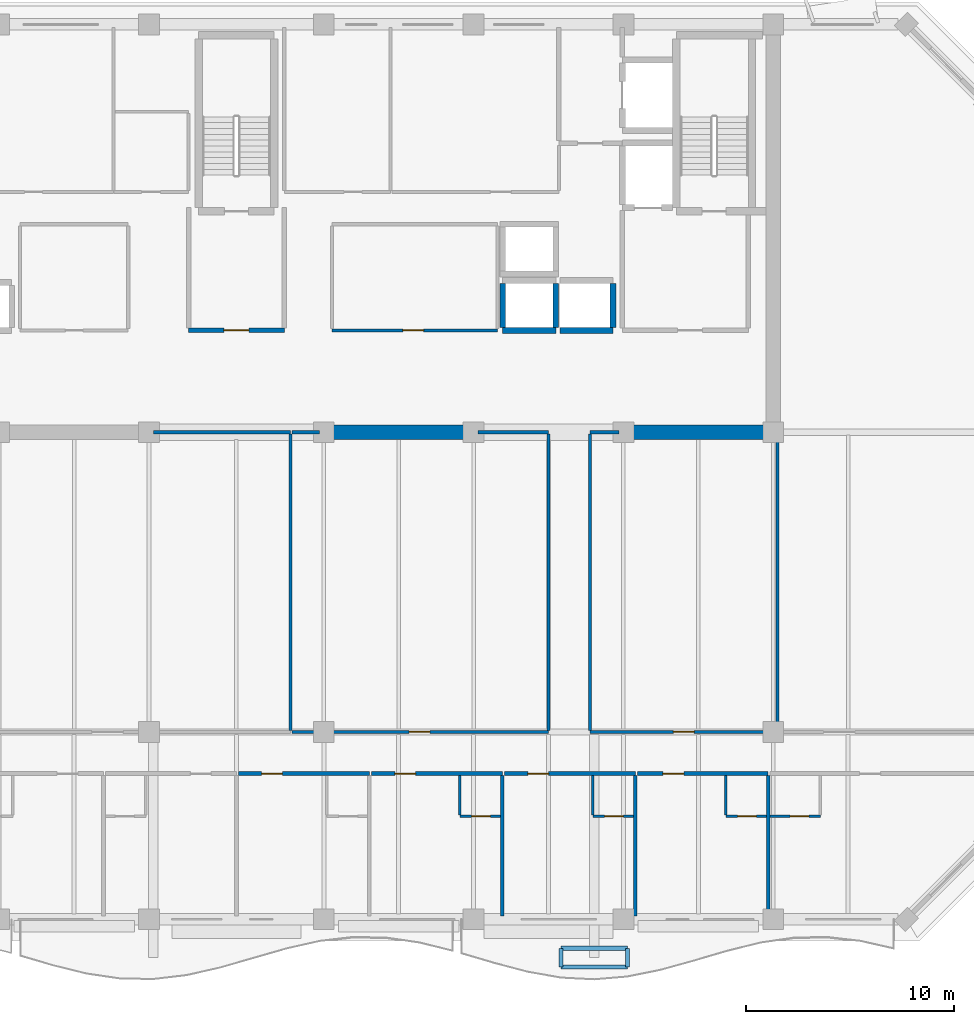
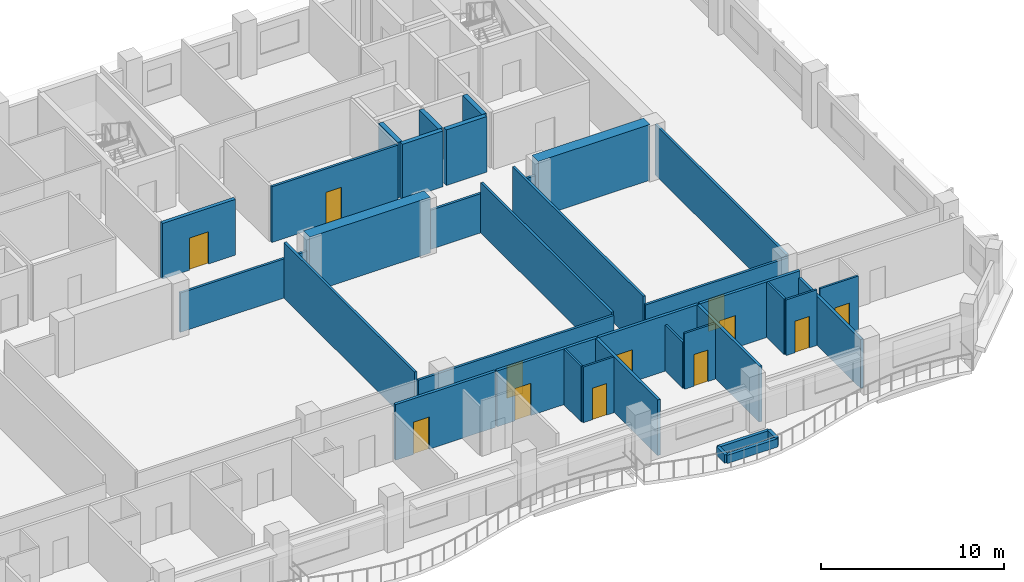
# One storey, part 5 of 11: 37 walls, 12 doors, 12 openings.
"""IFC4 building model written with IfcOpenShell, lengths in metres."""

from ifc_helpers import new_model, si_unit, direction, frame, frame_2d, origin, place, context, subcontext, project, spatial, rectangle, extrude, material, layer, layer_set, type_object, element, fill, save


model = new_model("IFC4")

# Units and contexts
model_context = context("Model", 3, precision=1e-05, world=origin(), true_north=direction((0.0, 1.0)))
body_context = subcontext(model_context, "Body", "Model", "MODEL_VIEW")
ifc_project = project(units=[si_unit("LENGTHUNIT", "METRE"), si_unit("AREAUNIT", "SQUARE_METRE"), si_unit("VOLUMEUNIT", "CUBIC_METRE"), si_unit("PLANEANGLEUNIT", "RADIAN"), si_unit("MASSUNIT", "GRAM", prefix="KILO")], contexts=[model_context])

# Site, building, storey
site_placement = place(None, origin())
site = spatial("IfcSite", under=ifc_project, at=site_placement, CompositionType="ELEMENT")
building_placement = place(site_placement, origin())
building = spatial("IfcBuilding", under=site, at=building_placement, Name="Kaelvorn Grand Hotel", CompositionType="ELEMENT")
storey_placement = place(building_placement, frame((0.0, 0.0, 237.050048828125)))
storey = spatial("IfcBuildingStorey", under=building, at=storey_placement, Name="L58", CompositionType="ELEMENT", Elevation=237.050048828125)

# Walls
ifc_material_1 = material(Name="Concrete C50/60", Category="concrete")
ifc_layer_1 = layer(ifc_material_1, 0.699951171875)
ifc_layer_set_1 = layer_set([ifc_layer_1], Name="Concrete C50/60")
wall_type_1 = type_object("IfcWallType", Name="WL-CORE-700-C50", PredefinedType="SHEAR", material=ifc_layer_set_1)
wall_1_placement = place(storey_placement, frame((46.0, 29.39990234375, 0.0), z_axis=(0.0, 0.0, 1.0), x_axis=(1.0, 0.0, 0.0)))
element("IfcWall", 1, at=wall_1_placement, inside=storey, type_object=wall_type_1, Name="L58 Rear-Core Coupled Shear Pier S3", PredefinedType="SHEAR", context=body_context, shape_type="SweptSolid", body=[
    extrude(rectangle(XDim=7.60009765625, YDim=0.699951171875, at=frame_2d((3.800048828125, 0.0))), origin(), (0.0, 0.0, 1.0), 3.7099609375),
])
wall_2_placement = place(storey_placement, frame((60.39990234375, 29.39990234375, 0.0), z_axis=(0.0, 0.0, 1.0), x_axis=(1.0, 0.0, 0.0)))
element("IfcWall", 2, at=wall_2_placement, inside=storey, type_object=wall_type_1, Name="L58 Rear-Core Coupled Shear Pier S4", PredefinedType="SHEAR", context=body_context, shape_type="SweptSolid", body=[
    extrude(rectangle(XDim=7.045166015625, YDim=0.699951171875, at=frame_2d((3.5224609375, 0.0))), origin(), (0.0, 0.0, 1.0), 3.7099609375),
])

# Wall, opening, door
ifc_material_2 = material(Name="Moisture-Resistant Tile & Stud Board")
ifc_layer_2 = layer(ifc_material_2, 0.125)
ifc_layer_set_2 = layer_set([ifc_layer_2], Name="Moisture-Resistant Tile & Stud Board")
wall_type_2 = type_object("IfcWallType", Name="WL-PART-125-WET", PredefinedType="PARTITIONING", material=ifc_layer_set_2)
wall_3_placement = place(storey_placement, frame((52.739990234375, 10.949951171875, 0.0), z_axis=(0.0, 0.0, 1.0), x_axis=(1.0, 0.0, 0.0)))
wall_3 = element("IfcWall", 3, at=wall_3_placement, inside=storey, type_object=wall_type_2, Name="L58 En-suite Bathroom L58-07 S Partition", PredefinedType="PARTITIONING", context=body_context, shape_type="SweptSolid", body=[
    extrude(rectangle(XDim=1.945068359375, YDim=0.125, at=frame_2d((0.97265625, 0.0))), origin(), (0.0, 0.0, 1.0), 3.7099609375),
])
opening_1_placement = place(wall_3_placement, frame((0.570068359375, 0.0, 0.0)))
opening_1 = element("IfcOpeningElement", 4, at=opening_1_placement, cuts=wall_3, Name="Opening DI4", PredefinedType="OPENING", context=body_context, shape_type="SweptSolid", body=[
    extrude(rectangle(XDim=0.89990234375, YDim=2.10009765625, at=frame_2d((0.449951171875, 1.050048828125))), frame((0.0, 0.072509765625, 0.0), z_axis=(0.0, -1.0, 0.0), x_axis=(1.0, 0.0, 0.0)), (0.0, 0.0, 1.0), 0.14501953125),
])
ifc_material_3 = material(Name="Timber Veneer Leaf", Category="wood")
door_type_1 = type_object("IfcDoorType", Name="DR-INT-BATH-900x2100", OperationType="NOTDEFINED", PredefinedType="DOOR", material=ifc_material_3)
door_1_placement = place(opening_1_placement, origin())
door_1 = element("IfcDoor", 5, at=door_1_placement, inside=storey, type_object=door_type_1, Name="L58 En-suite Bathroom L58-07 Door", OperationType="SINGLE_SWING_LEFT", OverallHeight=2.10009765625, OverallWidth=0.89990234375, PredefinedType="DOOR", context=body_context, shape_type="SweptSolid", body=[
    extrude(rectangle(XDim=0.89990234375, YDim=2.10009765625, at=frame_2d((0.449951171875, 1.050048828125))), frame((0.0, 0.02490234375, 0.0), z_axis=(0.0, -1.0, 0.0), x_axis=(1.0, 0.0, 0.0)), (0.0, 0.0, 1.0), 0.050048828125),
])
fill(opening_1, door_1)

# Wall
wall_4_placement = place(storey_placement, frame((52.739990234375, 11.017578125, 0.0), z_axis=(0.0, 0.0, 1.0), x_axis=(0.0, 1.0, 0.0)))
element("IfcWall", 6, at=wall_4_placement, inside=storey, type_object=wall_type_2, Name="L58 En-suite Bathroom L58-07 W Partition", PredefinedType="PARTITIONING", context=body_context, shape_type="SweptSolid", body=[
    extrude(rectangle(XDim=1.887451171875, YDim=0.125, at=frame_2d((0.94384765625, 0.0))), origin(), (0.0, 0.0, 1.0), 3.7099609375),
])

# Wall, opening, door
wall_5_placement = place(storey_placement, frame((59.1298828125, 10.949951171875, 0.0), z_axis=(0.0, 0.0, 1.0), x_axis=(1.0, 0.0, 0.0)))
wall_5 = element("IfcWall", 7, at=wall_5_placement, inside=storey, type_object=wall_type_2, Name="L58 En-suite Bathroom L58-08 S Partition", PredefinedType="PARTITIONING", context=body_context, shape_type="SweptSolid", body=[
    extrude(rectangle(XDim=1.945068359375, YDim=0.125, at=frame_2d((0.97265625, 0.0))), origin(), (0.0, 0.0, 1.0), 3.7099609375),
])
opening_2_placement = place(wall_5_placement, frame((0.570068359375, 0.0, 0.0)))
opening_2 = element("IfcOpeningElement", 8, at=opening_2_placement, cuts=wall_5, Name="Opening DI4", PredefinedType="OPENING", context=body_context, shape_type="SweptSolid", body=[
    extrude(rectangle(XDim=0.89990234375, YDim=2.10009765625, at=frame_2d((0.449951171875, 1.050048828125))), frame((0.0, 0.072509765625, 0.0), z_axis=(0.0, -1.0, 0.0), x_axis=(1.0, 0.0, 0.0)), (0.0, 0.0, 1.0), 0.14501953125),
])
door_2_placement = place(opening_2_placement, origin())
door_2 = element("IfcDoor", 9, at=door_2_placement, inside=storey, type_object=door_type_1, Name="L58 En-suite Bathroom L58-08 Door", OperationType="SINGLE_SWING_LEFT", OverallHeight=2.10009765625, OverallWidth=0.89990234375, PredefinedType="DOOR", context=body_context, shape_type="SweptSolid", body=[
    extrude(rectangle(XDim=0.89990234375, YDim=2.10009765625, at=frame_2d((0.449951171875, 1.050048828125))), frame((0.0, 0.02490234375, 0.0), z_axis=(0.0, -1.0, 0.0), x_axis=(1.0, 0.0, 0.0)), (0.0, 0.0, 1.0), 0.050048828125),
])
fill(opening_2, door_2)

# Wall
wall_6_placement = place(storey_placement, frame((59.1298828125, 11.017578125, 0.0), z_axis=(0.0, 0.0, 1.0), x_axis=(0.0, 1.0, 0.0)))
element("IfcWall", 10, at=wall_6_placement, inside=storey, type_object=wall_type_2, Name="L58 En-suite Bathroom L58-08 W Partition", PredefinedType="PARTITIONING", context=body_context, shape_type="SweptSolid", body=[
    extrude(rectangle(XDim=1.887451171875, YDim=0.125, at=frame_2d((0.94384765625, 0.0))), origin(), (0.0, 0.0, 1.0), 3.079833984375),
])

# Wall, opening, door
wall_7_placement = place(storey_placement, frame((65.52001953125, 10.949951171875, 0.0), z_axis=(0.0, 0.0, 1.0), x_axis=(1.0, 0.0, 0.0)))
wall_7 = element("IfcWall", 11, at=wall_7_placement, inside=storey, type_object=wall_type_2, Name="L58 En-suite Bathroom L58-09 S Partition", PredefinedType="PARTITIONING", context=body_context, shape_type="SweptSolid", body=[
    extrude(rectangle(XDim=1.945068359375, YDim=0.125, at=frame_2d((0.97265625, 0.0))), origin(), (0.0, 0.0, 1.0), 3.7099609375),
])
opening_3_placement = place(wall_7_placement, frame((0.570068359375, 0.0, 0.0)))
opening_3 = element("IfcOpeningElement", 12, at=opening_3_placement, cuts=wall_7, Name="Opening DI4", PredefinedType="OPENING", context=body_context, shape_type="SweptSolid", body=[
    extrude(rectangle(XDim=0.89990234375, YDim=2.10009765625, at=frame_2d((0.449951171875, 1.050048828125))), frame((0.0, 0.072509765625, 0.0), z_axis=(0.0, -1.0, 0.0), x_axis=(1.0, 0.0, 0.0)), (0.0, 0.0, 1.0), 0.14501953125),
])
door_3_placement = place(opening_3_placement, origin())
door_3 = element("IfcDoor", 13, at=door_3_placement, inside=storey, type_object=door_type_1, Name="L58 En-suite Bathroom L58-09 Door", OperationType="SINGLE_SWING_LEFT", OverallHeight=2.10009765625, OverallWidth=0.89990234375, PredefinedType="DOOR", context=body_context, shape_type="SweptSolid", body=[
    extrude(rectangle(XDim=0.89990234375, YDim=2.10009765625, at=frame_2d((0.449951171875, 1.050048828125))), frame((0.0, 0.02490234375, 0.0), z_axis=(0.0, -1.0, 0.0), x_axis=(1.0, 0.0, 0.0)), (0.0, 0.0, 1.0), 0.050048828125),
])
fill(opening_3, door_3)

# Wall
wall_8_placement = place(storey_placement, frame((65.52001953125, 11.017578125, 0.0), z_axis=(0.0, 0.0, 1.0), x_axis=(0.0, 1.0, 0.0)))
element("IfcWall", 14, at=wall_8_placement, inside=storey, type_object=wall_type_2, Name="L58 En-suite Bathroom L58-09 W Partition", PredefinedType="PARTITIONING", context=body_context, shape_type="SweptSolid", body=[
    extrude(rectangle(XDim=1.887451171875, YDim=0.125, at=frame_2d((0.94384765625, 0.0))), origin(), (0.0, 0.0, 1.0), 3.7099609375),
])

# Wall, opening, door
wall_9_placement = place(storey_placement, frame((67.655029296875, 10.949951171875, 0.0), z_axis=(0.0, 0.0, 1.0), x_axis=(1.0, 0.0, 0.0)))
wall_9 = element("IfcWall", 15, at=wall_9_placement, inside=storey, type_object=wall_type_2, Name="L58 En-suite Bathroom L58-10 S Partition", PredefinedType="PARTITIONING", context=body_context, shape_type="SweptSolid", body=[
    extrude(rectangle(XDim=2.405029296875, YDim=0.125, at=frame_2d((1.20263671875, 0.0))), origin(), (0.0, 0.0, 1.0), 3.7099609375),
])
opening_4_placement = place(wall_9_placement, frame((0.955078125, 0.0, 0.0)))
opening_4 = element("IfcOpeningElement", 16, at=opening_4_placement, cuts=wall_9, Name="Opening DI4", PredefinedType="OPENING", context=body_context, shape_type="SweptSolid", body=[
    extrude(rectangle(XDim=0.89990234375, YDim=2.10009765625, at=frame_2d((0.449951171875, 1.050048828125))), frame((0.0, 0.072509765625, 0.0), z_axis=(0.0, -1.0, 0.0), x_axis=(1.0, 0.0, 0.0)), (0.0, 0.0, 1.0), 0.14501953125),
])
door_4_placement = place(opening_4_placement, origin())
door_4 = element("IfcDoor", 17, at=door_4_placement, inside=storey, type_object=door_type_1, Name="L58 En-suite Bathroom L58-10 Door", OperationType="SINGLE_SWING_LEFT", OverallHeight=2.10009765625, OverallWidth=0.89990234375, PredefinedType="DOOR", context=body_context, shape_type="SweptSolid", body=[
    extrude(rectangle(XDim=0.89990234375, YDim=2.10009765625, at=frame_2d((0.449951171875, 1.050048828125))), frame((0.0, 0.02490234375, 0.0), z_axis=(0.0, -1.0, 0.0), x_axis=(1.0, 0.0, 0.0)), (0.0, 0.0, 1.0), 0.050048828125),
])
fill(opening_4, door_4)

ifc_material_4 = material(Name="Acoustic Gypsum & Stud Partition")
ifc_layer_3 = layer(ifc_material_4, 0.14990234375)
ifc_layer_set_3 = layer_set([ifc_layer_3], Name="Acoustic Gypsum & Stud Partition")
wall_type_3 = type_object("IfcWallType", Name="WL-PART-150-EI60", PredefinedType="PARTITIONING", material=ifc_layer_set_3)
wall_10_placement = place(storey_placement, frame((46.60009765625, 34.300048828125, 0.0), z_axis=(0.0, 0.0, 1.0), x_axis=(1.0, 0.0, 0.0)))
wall_10 = element("IfcWall", 18, at=wall_10_placement, inside=storey, type_object=wall_type_3, Name="L58 Sky Concierge & Butler Pantry Lounge S Partition", PredefinedType="PARTITIONING", context=body_context, shape_type="SweptSolid", body=[
    extrude(rectangle(XDim=7.949951171875, YDim=0.14990234375, at=frame_2d((3.97509765625, 0.0))), origin(), (0.0, 0.0, 1.0), 3.7099609375),
])
opening_5_placement = place(wall_10_placement, frame((3.39990234375, 0.0, 0.0)))
opening_5 = element("IfcOpeningElement", 19, at=opening_5_placement, cuts=wall_10, Name="Opening DI3", PredefinedType="OPENING", context=body_context, shape_type="SweptSolid", body=[
    extrude(rectangle(XDim=1.0, YDim=2.14990234375, at=frame_2d((0.5, 1.074951171875))), frame((0.0, 0.0849609375, 0.0), z_axis=(0.0, -1.0, 0.0), x_axis=(1.0, 0.0, 0.0)), (0.0, 0.0, 1.0), 0.169921875),
])
ifc_material_5 = material(Name="Timber Veneer Fire Leaf", Category="wood")
door_type_2 = type_object("IfcDoorType", Name="DR-INT-GUEST-1000x2150", OperationType="NOTDEFINED", PredefinedType="DOOR", material=ifc_material_5)
door_5_placement = place(opening_5_placement, origin())
door_5 = element("IfcDoor", 20, at=door_5_placement, inside=storey, type_object=door_type_2, Name="L58 Sky Concierge & Butler Pantry Lounge Door", OperationType="SINGLE_SWING_RIGHT", OverallHeight=2.14990234375, OverallWidth=1.0, PredefinedType="DOOR", context=body_context, shape_type="SweptSolid", body=[
    extrude(rectangle(XDim=1.0, YDim=2.14990234375, at=frame_2d((0.5, 1.074951171875))), frame((0.0, 0.02490234375, 0.0), z_axis=(0.0, -1.0, 0.0), x_axis=(1.0, 0.0, 0.0)), (0.0, 0.0, 1.0), 0.050048828125),
])
fill(opening_5, door_5)

# Walls
wall_11_placement = place(storey_placement, frame((38.010009765625, 29.39990234375, 0.0), z_axis=(0.0, 0.0, 1.0), x_axis=(1.0, 0.0, 0.0)))
element("IfcWall", 21, at=wall_11_placement, inside=storey, type_object=wall_type_3, Name="L58 Guest Butler Kitchen N Partition (2)", PredefinedType="PARTITIONING", context=body_context, shape_type="SweptSolid", body=[
    extrude(rectangle(XDim=6.590087890625, YDim=0.14990234375, at=frame_2d((3.294921875, 0.0))), origin(), (0.0, 0.0, 1.0), 2.60986328125),
])
wall_12_placement = place(storey_placement, frame((44.60009765625, 15.080078125, 0.0), z_axis=(0.0, 0.0, 1.0), x_axis=(0.0, 1.0, 0.0)))
element("IfcWall", 22, at=wall_12_placement, inside=storey, type_object=wall_type_3, Name="L58 Guest Butler Kitchen E Partition", PredefinedType="PARTITIONING", context=body_context, shape_type="SweptSolid", body=[
    extrude(rectangle(XDim=14.239990234375, YDim=0.14990234375, at=frame_2d((7.1201171875, 0.0))), origin(), (0.0, 0.0, 1.0), 3.7099609375),
])

# Wall, opening, door
wall_13_placement = place(storey_placement, frame((44.679931640625, 15.0, 0.0), z_axis=(0.0, 0.0, 1.0), x_axis=(1.0, 0.0, 0.0)))
wall_13 = element("IfcWall", 23, at=wall_13_placement, inside=storey, type_object=wall_type_3, Name="L58 Suite Living Room S Partition", PredefinedType="PARTITIONING", context=body_context, shape_type="SweptSolid", body=[
    extrude(rectangle(XDim=12.320068359375, YDim=0.14990234375, at=frame_2d((6.16015625, 0.0))), origin(), (0.0, 0.0, 1.0), 3.2099609375),
])
opening_6_placement = place(wall_13_placement, frame((5.6201171875, 0.0, 0.0)))
opening_6 = element("IfcOpeningElement", 24, at=opening_6_placement, cuts=wall_13, Name="Opening DI3", PredefinedType="OPENING", context=body_context, shape_type="SweptSolid", body=[
    extrude(rectangle(XDim=1.0, YDim=2.14990234375, at=frame_2d((0.5, 1.074951171875))), frame((0.0, 0.0849609375, 0.0), z_axis=(0.0, -1.0, 0.0), x_axis=(1.0, 0.0, 0.0)), (0.0, 0.0, 1.0), 0.169921875),
])
door_6_placement = place(opening_6_placement, origin())
door_6 = element("IfcDoor", 25, at=door_6_placement, inside=storey, type_object=door_type_2, Name="L58 Suite Living Room Door", OperationType="SINGLE_SWING_LEFT", OverallHeight=2.14990234375, OverallWidth=1.0, PredefinedType="DOOR", context=body_context, shape_type="SweptSolid", body=[
    extrude(rectangle(XDim=1.0, YDim=2.14990234375, at=frame_2d((0.5, 1.074951171875))), frame((0.0, 0.02490234375, 0.0), z_axis=(0.0, -1.0, 0.0), x_axis=(1.0, 0.0, 0.0)), (0.0, 0.0, 1.0), 0.050048828125),
])
fill(opening_6, door_6)

# Walls
wall_14_placement = place(storey_placement, frame((44.679931640625, 29.39990234375, 0.0), z_axis=(0.0, 0.0, 1.0), x_axis=(1.0, 0.0, 0.0)))
element("IfcWall", 26, at=wall_14_placement, inside=storey, type_object=wall_type_3, Name="L58 Suite Living Room N Partition (1)", PredefinedType="PARTITIONING", context=body_context, shape_type="SweptSolid", body=[
    extrude(rectangle(XDim=1.31005859375, YDim=0.14990234375, at=frame_2d((0.655029296875, 0.0))), origin(), (0.0, 0.0, 1.0), 2.60986328125),
])
wall_15_placement = place(storey_placement, frame((53.610107421875, 29.39990234375, 0.0), z_axis=(0.0, 0.0, 1.0), x_axis=(1.0, 0.0, 0.0)))
element("IfcWall", 27, at=wall_15_placement, inside=storey, type_object=wall_type_3, Name="L58 Suite Living Room N Partition (2)", PredefinedType="PARTITIONING", context=body_context, shape_type="SweptSolid", body=[
    extrude(rectangle(XDim=3.389892578125, YDim=0.14990234375, at=frame_2d((1.69482421875, 0.0))), origin(), (0.0, 0.0, 1.0), 2.60986328125),
])
wall_16_placement = place(storey_placement, frame((57.0, 15.080078125, 0.0), z_axis=(0.0, 0.0, 1.0), x_axis=(0.0, 1.0, 0.0)))
element("IfcWall", 28, at=wall_16_placement, inside=storey, type_object=wall_type_3, Name="L58 Suite Living Room E Partition", PredefinedType="PARTITIONING", context=body_context, shape_type="SweptSolid", body=[
    extrude(rectangle(XDim=14.239990234375, YDim=0.14990234375, at=frame_2d((7.1201171875, 0.0))), origin(), (0.0, 0.0, 1.0), 3.349853515625),
])

# Wall, opening, door
wall_17_placement = place(storey_placement, frame((59.0, 15.0, 0.0), z_axis=(0.0, 0.0, 1.0), x_axis=(1.0, 0.0, 0.0)))
wall_17 = element("IfcWall", 29, at=wall_17_placement, inside=storey, type_object=wall_type_3, Name="L58 Business Secretariat Office S Partition", PredefinedType="PARTITIONING", context=body_context, shape_type="SweptSolid", body=[
    extrude(rectangle(XDim=9.0, YDim=0.14990234375, at=frame_2d((4.5, 0.0))), origin(), (0.0, 0.0, 1.0), 3.2099609375),
])
opening_7_placement = place(wall_17_placement, frame((4.0, 0.0, 0.0)))
opening_7 = element("IfcOpeningElement", 30, at=opening_7_placement, cuts=wall_17, Name="Opening DI3", PredefinedType="OPENING", context=body_context, shape_type="SweptSolid", body=[
    extrude(rectangle(XDim=1.0, YDim=2.14990234375, at=frame_2d((0.5, 1.074951171875))), frame((0.0, 0.0849609375, 0.0), z_axis=(0.0, -1.0, 0.0), x_axis=(1.0, 0.0, 0.0)), (0.0, 0.0, 1.0), 0.169921875),
])
door_7_placement = place(opening_7_placement, origin())
door_7 = element("IfcDoor", 31, at=door_7_placement, inside=storey, type_object=door_type_2, Name="L58 Business Secretariat Office Door", OperationType="SINGLE_SWING_RIGHT", OverallHeight=2.14990234375, OverallWidth=1.0, PredefinedType="DOOR", context=body_context, shape_type="SweptSolid", body=[
    extrude(rectangle(XDim=1.0, YDim=2.14990234375, at=frame_2d((0.5, 1.074951171875))), frame((0.0, 0.02490234375, 0.0), z_axis=(0.0, -1.0, 0.0), x_axis=(1.0, 0.0, 0.0)), (0.0, 0.0, 1.0), 0.050048828125),
])
fill(opening_7, door_7)

# Walls
wall_18_placement = place(storey_placement, frame((59.0, 29.39990234375, 0.0), z_axis=(0.0, 0.0, 1.0), x_axis=(1.0, 0.0, 0.0)))
element("IfcWall", 32, at=wall_18_placement, inside=storey, type_object=wall_type_3, Name="L58 Business Secretariat Office N Partition", PredefinedType="PARTITIONING", context=body_context, shape_type="SweptSolid", body=[
    extrude(rectangle(XDim=1.389892578125, YDim=0.14990234375, at=frame_2d((0.69482421875, 0.0))), origin(), (0.0, 0.0, 1.0), 2.60986328125),
])
wall_19_placement = place(storey_placement, frame((59.0, 15.080078125, 0.0), z_axis=(0.0, 0.0, 1.0), x_axis=(0.0, 1.0, 0.0)))
element("IfcWall", 33, at=wall_19_placement, inside=storey, type_object=wall_type_3, Name="L58 Business Secretariat Office W Partition", PredefinedType="PARTITIONING", context=body_context, shape_type="SweptSolid", body=[
    extrude(rectangle(XDim=14.239990234375, YDim=0.14990234375, at=frame_2d((7.1201171875, 0.0))), origin(), (0.0, 0.0, 1.0), 3.7099609375),
])
wall_20_placement = place(storey_placement, frame((68.0, 15.080078125, 0.0), z_axis=(0.0, 0.0, 1.0), x_axis=(0.0, 1.0, 0.0)))
element("IfcWall", 34, at=wall_20_placement, inside=storey, type_object=wall_type_3, Name="L58 Business Secretariat Office E Partition", PredefinedType="PARTITIONING", context=body_context, shape_type="SweptSolid", body=[
    extrude(rectangle(XDim=14.309814453125, YDim=0.14990234375, at=frame_2d((7.15478515625, 0.0))), origin(), (0.0, 0.0, 1.0), 3.349853515625),
])

# Wall, opening, door
ifc_layer_4 = layer(ifc_material_4, 0.179931640625)
ifc_layer_set_4 = layer_set([ifc_layer_4], Name="Acoustic Gypsum & Stud Partition")
wall_type_4 = type_object("IfcWallType", Name="WL-PART-180-EI60", PredefinedType="PARTITIONING", material=ifc_layer_set_4)
wall_21_placement = place(storey_placement, frame((42.094970703125, 13.0, 0.0), z_axis=(0.0, 0.0, 1.0), x_axis=(1.0, 0.0, 0.0)))
wall_21 = element("IfcWall", 35, at=wall_21_placement, inside=storey, type_object=wall_type_4, Name="L58 Ambassador Guest Room L58-06 N Partition", PredefinedType="PARTITIONING", context=body_context, shape_type="SweptSolid", body=[
    extrude(rectangle(XDim=6.294921875, YDim=0.179931640625, at=frame_2d((3.1474609375, 0.0))), origin(), (0.0, 0.0, 1.0), 3.7099609375),
])
opening_8_placement = place(wall_21_placement, frame((1.114990234375, 0.0, 0.0)))
opening_8 = element("IfcOpeningElement", 36, at=opening_8_placement, cuts=wall_21, Name="Opening DI3", PredefinedType="OPENING", context=body_context, shape_type="SweptSolid", body=[
    extrude(rectangle(XDim=1.0, YDim=2.14990234375, at=frame_2d((0.5, 1.074951171875))), frame((0.0, 0.10009765625, 0.0), z_axis=(0.0, -1.0, 0.0), x_axis=(1.0, 0.0, 0.0)), (0.0, 0.0, 1.0), 0.199951171875),
])
door_8_placement = place(opening_8_placement, origin())
door_8 = element("IfcDoor", 37, at=door_8_placement, inside=storey, type_object=door_type_2, Name="L58 Ambassador Guest Room L58-06 Door", OperationType="SINGLE_SWING_RIGHT", OverallHeight=2.14990234375, OverallWidth=1.0, PredefinedType="DOOR", context=body_context, shape_type="SweptSolid", body=[
    extrude(rectangle(XDim=1.0, YDim=2.14990234375, at=frame_2d((0.5, 1.074951171875))), frame((0.0, 0.02490234375, 0.0), z_axis=(0.0, -1.0, 0.0), x_axis=(1.0, 0.0, 0.0)), (0.0, 0.0, 1.0), 0.050048828125),
])
fill(opening_8, door_8)

wall_22_placement = place(storey_placement, frame((48.485107421875, 13.0, 0.0), z_axis=(0.0, 0.0, 1.0), x_axis=(1.0, 0.0, 0.0)))
wall_22 = element("IfcWall", 38, at=wall_22_placement, inside=storey, type_object=wall_type_4, Name="L58 Ambassador Guest Room L58-07 N Partition", PredefinedType="PARTITIONING", context=body_context, shape_type="SweptSolid", body=[
    extrude(rectangle(XDim=6.294921875, YDim=0.179931640625, at=frame_2d((3.1474609375, 0.0))), origin(), (0.0, 0.0, 1.0), 3.7099609375),
])
opening_9_placement = place(wall_22_placement, frame((1.1298828125, 0.0, 0.0)))
opening_9 = element("IfcOpeningElement", 39, at=opening_9_placement, cuts=wall_22, Name="Opening DI3", PredefinedType="OPENING", context=body_context, shape_type="SweptSolid", body=[
    extrude(rectangle(XDim=1.0, YDim=2.14990234375, at=frame_2d((0.5, 1.074951171875))), frame((0.0, 0.10009765625, 0.0), z_axis=(0.0, -1.0, 0.0), x_axis=(1.0, 0.0, 0.0)), (0.0, 0.0, 1.0), 0.199951171875),
])
door_9_placement = place(opening_9_placement, origin())
door_9 = element("IfcDoor", 40, at=door_9_placement, inside=storey, type_object=door_type_2, Name="L58 Ambassador Guest Room L58-07 Door", OperationType="SINGLE_SWING_RIGHT", OverallHeight=2.14990234375, OverallWidth=1.0, PredefinedType="DOOR", context=body_context, shape_type="SweptSolid", body=[
    extrude(rectangle(XDim=1.0, YDim=2.14990234375, at=frame_2d((0.5, 1.074951171875))), frame((0.0, 0.02490234375, 0.0), z_axis=(0.0, -1.0, 0.0), x_axis=(1.0, 0.0, 0.0)), (0.0, 0.0, 1.0), 0.050048828125),
])
fill(opening_9, door_9)

# Wall
wall_23_placement = place(storey_placement, frame((54.780029296875, 6.14990234375, 0.0), z_axis=(0.0, 0.0, 1.0), x_axis=(0.0, 1.0, 0.0)))
element("IfcWall", 41, at=wall_23_placement, inside=storey, type_object=wall_type_4, Name="L58 Ambassador Guest Room L58-07 E Partition", PredefinedType="PARTITIONING", context=body_context, shape_type="SweptSolid", body=[
    extrude(rectangle(XDim=6.755126953125, YDim=0.179931640625, at=frame_2d((3.37744140625, 0.0))), origin(), (0.0, 0.0, 1.0), 3.7099609375),
])

# Wall, opening, door
wall_24_placement = place(storey_placement, frame((54.875, 13.0, 0.0), z_axis=(0.0, 0.0, 1.0), x_axis=(1.0, 0.0, 0.0)))
wall_24 = element("IfcWall", 42, at=wall_24_placement, inside=storey, type_object=wall_type_4, Name="L58 Ambassador Guest Room L58-08 N Partition", PredefinedType="PARTITIONING", context=body_context, shape_type="SweptSolid", body=[
    extrude(rectangle(XDim=6.294921875, YDim=0.179931640625, at=frame_2d((3.1474609375, 0.0))), origin(), (0.0, 0.0, 1.0), 3.7099609375),
])
opening_10_placement = place(wall_24_placement, frame((1.1298828125, 0.0, 0.0)))
opening_10 = element("IfcOpeningElement", 43, at=opening_10_placement, cuts=wall_24, Name="Opening DI3", PredefinedType="OPENING", context=body_context, shape_type="SweptSolid", body=[
    extrude(rectangle(XDim=1.0, YDim=2.14990234375, at=frame_2d((0.5, 1.074951171875))), frame((0.0, 0.10009765625, 0.0), z_axis=(0.0, -1.0, 0.0), x_axis=(1.0, 0.0, 0.0)), (0.0, 0.0, 1.0), 0.199951171875),
])
door_10_placement = place(opening_10_placement, origin())
door_10 = element("IfcDoor", 44, at=door_10_placement, inside=storey, type_object=door_type_2, Name="L58 Ambassador Guest Room L58-08 Door", OperationType="SINGLE_SWING_RIGHT", OverallHeight=2.14990234375, OverallWidth=1.0, PredefinedType="DOOR", context=body_context, shape_type="SweptSolid", body=[
    extrude(rectangle(XDim=1.0, YDim=2.14990234375, at=frame_2d((0.5, 1.074951171875))), frame((0.0, 0.02490234375, 0.0), z_axis=(0.0, -1.0, 0.0), x_axis=(1.0, 0.0, 0.0)), (0.0, 0.0, 1.0), 0.050048828125),
])
fill(opening_10, door_10)

# Wall
wall_25_placement = place(storey_placement, frame((61.169921875, 6.14990234375, 0.0), z_axis=(0.0, 0.0, 1.0), x_axis=(0.0, 1.0, 0.0)))
element("IfcWall", 45, at=wall_25_placement, inside=storey, type_object=wall_type_4, Name="L58 Ambassador Guest Room L58-08 E Partition", PredefinedType="PARTITIONING", context=body_context, shape_type="SweptSolid", body=[
    extrude(rectangle(XDim=6.755126953125, YDim=0.179931640625, at=frame_2d((3.37744140625, 0.0))), origin(), (0.0, 0.0, 1.0), 3.7099609375),
])

# Wall, opening, door
wall_26_placement = place(storey_placement, frame((61.264892578125, 13.0, 0.0), z_axis=(0.0, 0.0, 1.0), x_axis=(1.0, 0.0, 0.0)))
wall_26 = element("IfcWall", 46, at=wall_26_placement, inside=storey, type_object=wall_type_4, Name="L58 Ambassador Guest Room L58-09 N Partition", PredefinedType="PARTITIONING", context=body_context, shape_type="SweptSolid", body=[
    extrude(rectangle(XDim=6.295166015625, YDim=0.179931640625, at=frame_2d((3.1474609375, 0.0))), origin(), (0.0, 0.0, 1.0), 3.7099609375),
])
opening_11_placement = place(wall_26_placement, frame((1.235107421875, 0.0, 0.0)))
opening_11 = element("IfcOpeningElement", 47, at=opening_11_placement, cuts=wall_26, Name="Opening DI3", PredefinedType="OPENING", context=body_context, shape_type="SweptSolid", body=[
    extrude(rectangle(XDim=1.0, YDim=2.14990234375, at=frame_2d((0.5, 1.074951171875))), frame((0.0, 0.10009765625, 0.0), z_axis=(0.0, -1.0, 0.0), x_axis=(1.0, 0.0, 0.0)), (0.0, 0.0, 1.0), 0.199951171875),
])
door_11_placement = place(opening_11_placement, origin())
door_11 = element("IfcDoor", 48, at=door_11_placement, inside=storey, type_object=door_type_2, Name="L58 Ambassador Guest Room L58-09 Door", OperationType="SINGLE_SWING_RIGHT", OverallHeight=2.14990234375, OverallWidth=1.0, PredefinedType="DOOR", context=body_context, shape_type="SweptSolid", body=[
    extrude(rectangle(XDim=1.0, YDim=2.14990234375, at=frame_2d((0.5, 1.074951171875))), frame((0.0, 0.02490234375, 0.0), z_axis=(0.0, -1.0, 0.0), x_axis=(1.0, 0.0, 0.0)), (0.0, 0.0, 1.0), 0.050048828125),
])
fill(opening_11, door_11)

# Wall
wall_27_placement = place(storey_placement, frame((67.56005859375, 6.14990234375, 0.0), z_axis=(0.0, 0.0, 1.0), x_axis=(0.0, 1.0, 0.0)))
element("IfcWall", 49, at=wall_27_placement, inside=storey, type_object=wall_type_4, Name="L58 Ambassador Guest Room L58-09 E Partition", PredefinedType="PARTITIONING", context=body_context, shape_type="SweptSolid", body=[
    extrude(rectangle(XDim=6.755126953125, YDim=0.179931640625, at=frame_2d((3.37744140625, 0.0))), origin(), (0.0, 0.0, 1.0), 3.260009765625),
])

# Wall, opening, door
ifc_material_6 = material(Name="Concrete C40/50", Category="concrete")
ifc_layer_5 = layer(ifc_material_6, 0.219970703125)
ifc_layer_set_5 = layer_set([ifc_layer_5], Name="Concrete C40/50")
wall_type_5 = type_object("IfcWallType", Name="WL-PART-220-EI120", PredefinedType="PARTITIONING", material=ifc_layer_set_5)
wall_28_placement = place(storey_placement, frame((39.699951171875, 34.300048828125, 0.0), z_axis=(0.0, 0.0, 1.0), x_axis=(1.0, 0.0, 0.0)))
wall_28 = element("IfcWall", 50, at=wall_28_placement, inside=storey, type_object=wall_type_5, Name="L58 Central Stair Escape Vestibule S Partition", PredefinedType="PARTITIONING", context=body_context, shape_type="SweptSolid", body=[
    extrude(rectangle(XDim=4.60009765625, YDim=0.219970703125, at=frame_2d((2.300048828125, 0.0))), origin(), (0.0, 0.0, 1.0), 3.7099609375),
])
opening_12_placement = place(wall_28_placement, frame((1.699951171875, 0.0, 0.0)))
opening_12 = element("IfcOpeningElement", 51, at=opening_12_placement, cuts=wall_28, Name="Opening DI2", PredefinedType="OPENING", context=body_context, shape_type="SweptSolid", body=[
    extrude(rectangle(XDim=1.199951171875, YDim=2.14990234375, at=frame_2d((0.60009765625, 1.074951171875))), frame((0.0, 0.1201171875, 0.0), z_axis=(0.0, -1.0, 0.0), x_axis=(1.0, 0.0, 0.0)), (0.0, 0.0, 1.0), 0.239990234375),
])
door_type_3 = type_object("IfcDoorType", Name="DR-INT-FFLOB-1200x2150", OperationType="NOTDEFINED", PredefinedType="DOOR", material=ifc_material_5)
door_12_placement = place(opening_12_placement, origin())
door_12 = element("IfcDoor", 52, at=door_12_placement, inside=storey, type_object=door_type_3, Name="L58 Central Stair Escape Vestibule Door", OperationType="SINGLE_SWING_LEFT", OverallHeight=2.14990234375, OverallWidth=1.199951171875, PredefinedType="DOOR", context=body_context, shape_type="SweptSolid", body=[
    extrude(rectangle(XDim=1.199951171875, YDim=2.14990234375, at=frame_2d((0.60009765625, 1.074951171875))), frame((0.0, 0.02490234375, 0.0), z_axis=(0.0, -1.0, 0.0), x_axis=(1.0, 0.0, 0.0)), (0.0, 0.0, 1.0), 0.050048828125),
])
fill(opening_12, door_12)

# Walls
ifc_layer_6 = layer(ifc_material_1, 0.280029296875)
ifc_layer_set_6 = layer_set([ifc_layer_6], Name="Concrete C50/60")
wall_type_6 = type_object("IfcWallType", Name="WL-SHAFT-280-C50", PredefinedType="SHEAR", material=ifc_layer_set_6)
wall_29_placement = place(storey_placement, frame((54.800048828125, 34.300048828125, 0.0), z_axis=(0.0, 0.0, 1.0), x_axis=(1.0, 0.0, 0.0)))
element("IfcWall", 53, at=wall_29_placement, inside=storey, type_object=wall_type_6, Name="L58 Lift OL-1 Shaft South Wall", PredefinedType="SHEAR", context=body_context, shape_type="SweptSolid", body=[
    extrude(rectangle(XDim=2.550048828125, YDim=0.280029296875, at=frame_2d((1.27490234375, 0.0))), origin(), (0.0, 0.0, 1.0), 3.7099609375),
])
for number, where, z_axis, x_axis, name in (
    (54, (54.800048828125, 34.445068359375, 0.0), (0.0, 0.0, 1.0), (0.0, 1.0, 0.0), "L58 Lift OL-1 Shaft West Wall"),
    (55, (57.35009765625, 34.445068359375, 0.0), (0.0, 0.0, 1.0), (0.0, 1.0, 0.0), "L58 Lift OL-1 Shaft East Wall"),
):
    element("IfcWall", number, at=place(storey_placement, frame(where, z_axis=z_axis, x_axis=x_axis)), inside=storey, type_object=wall_type_6, Name=name, PredefinedType="SHEAR", context=body_context, shape_type="SweptSolid", body=[
        extrude(rectangle(XDim=2.10986328125, YDim=0.280029296875, at=frame_2d((1.054931640625, 0.0))), origin(), (0.0, 0.0, 1.0), 3.7099609375),
    ])
wall_30_placement = place(storey_placement, frame((57.550048828125, 34.300048828125, 0.0), z_axis=(0.0, 0.0, 1.0), x_axis=(1.0, 0.0, 0.0)))
element("IfcWall", 56, at=wall_30_placement, inside=storey, type_object=wall_type_6, Name="L58 Lift OL-2 Shaft South Wall", PredefinedType="SHEAR", context=body_context, shape_type="SweptSolid", body=[
    extrude(rectangle(XDim=2.550048828125, YDim=0.280029296875, at=frame_2d((1.27490234375, 0.0))), origin(), (0.0, 0.0, 1.0), 3.7099609375),
])
wall_31_placement = place(storey_placement, frame((60.10009765625, 34.445068359375, 0.0), z_axis=(0.0, 0.0, 1.0), x_axis=(0.0, 1.0, 0.0)))
element("IfcWall", 57, at=wall_31_placement, inside=storey, type_object=wall_type_6, Name="L58 Lift OL-2 Shaft East Wall", PredefinedType="SHEAR", context=body_context, shape_type="SweptSolid", body=[
    extrude(rectangle(XDim=2.10986328125, YDim=0.280029296875, at=frame_2d((1.054931640625, 0.0))), origin(), (0.0, 0.0, 1.0), 3.7099609375),
])
ifc_layer_7 = layer(ifc_material_6, 0.199951171875)
ifc_layer_set_7 = layer_set([ifc_layer_7], Name="Concrete C40/50")
wall_type_7 = type_object("IfcWallType", Name="WL-TREE-PLANTER-200", PredefinedType="PARAPET", material=ifc_layer_set_7)
wall_32_placement = place(storey_placement, frame((57.60009765625, 3.699951171875, 0.0), z_axis=(0.0, 0.0, 1.0), x_axis=(1.0, 0.0, 0.0)))
element("IfcWall", 58, at=wall_32_placement, inside=storey, type_object=wall_type_7, Name="L58 Planted Balcony Structural TREE PLANTER Kerb 1-S", PredefinedType="PARAPET", context=body_context, shape_type="SweptSolid", body=[
    extrude(rectangle(XDim=3.199951171875, YDim=0.199951171875, at=frame_2d((1.60009765625, 0.0))), origin(), (0.0, 0.0, 1.0), 0.550048828125),
])
wall_33_placement = place(storey_placement, frame((60.800048828125, 3.699951171875, 0.0), z_axis=(0.0, 0.0, 1.0), x_axis=(0.0, 1.0, 0.0)))
element("IfcWall", 59, at=wall_33_placement, inside=storey, type_object=wall_type_7, Name="L58 Planted Balcony Structural TREE PLANTER Kerb 1-E", PredefinedType="PARAPET", context=body_context, shape_type="SweptSolid", body=[
    extrude(rectangle(XDim=0.900146484375, YDim=0.199951171875, at=frame_2d((0.4501953125, 0.0))), origin(), (0.0, 0.0, 1.0), 0.550048828125),
])
wall_34_placement = place(storey_placement, frame((60.800048828125, 4.60009765625, 0.0), z_axis=(0.0, 0.0, 1.0), x_axis=(-1.0, 0.0, 0.0)))
element("IfcWall", 60, at=wall_34_placement, inside=storey, type_object=wall_type_7, Name="L58 Planted Balcony Structural TREE PLANTER Kerb 1-N", PredefinedType="PARAPET", context=body_context, shape_type="SweptSolid", body=[
    extrude(rectangle(XDim=3.199951171875, YDim=0.199951171875, at=frame_2d((1.60009765625, 0.0))), origin(), (0.0, 0.0, 1.0), 0.550048828125),
])
wall_35_placement = place(storey_placement, frame((57.60009765625, 4.60009765625, 0.0), z_axis=(0.0, 0.0, 1.0), x_axis=(0.0, -1.0, 0.0)))
element("IfcWall", 61, at=wall_35_placement, inside=storey, type_object=wall_type_7, Name="L58 Planted Balcony Structural TREE PLANTER Kerb 1-W", PredefinedType="PARAPET", context=body_context, shape_type="SweptSolid", body=[
    extrude(rectangle(XDim=0.900146484375, YDim=0.199951171875, at=frame_2d((0.4501953125, 0.0))), origin(), (0.0, 0.0, 1.0), 0.550048828125),
])

save(model, "model.ifc")
